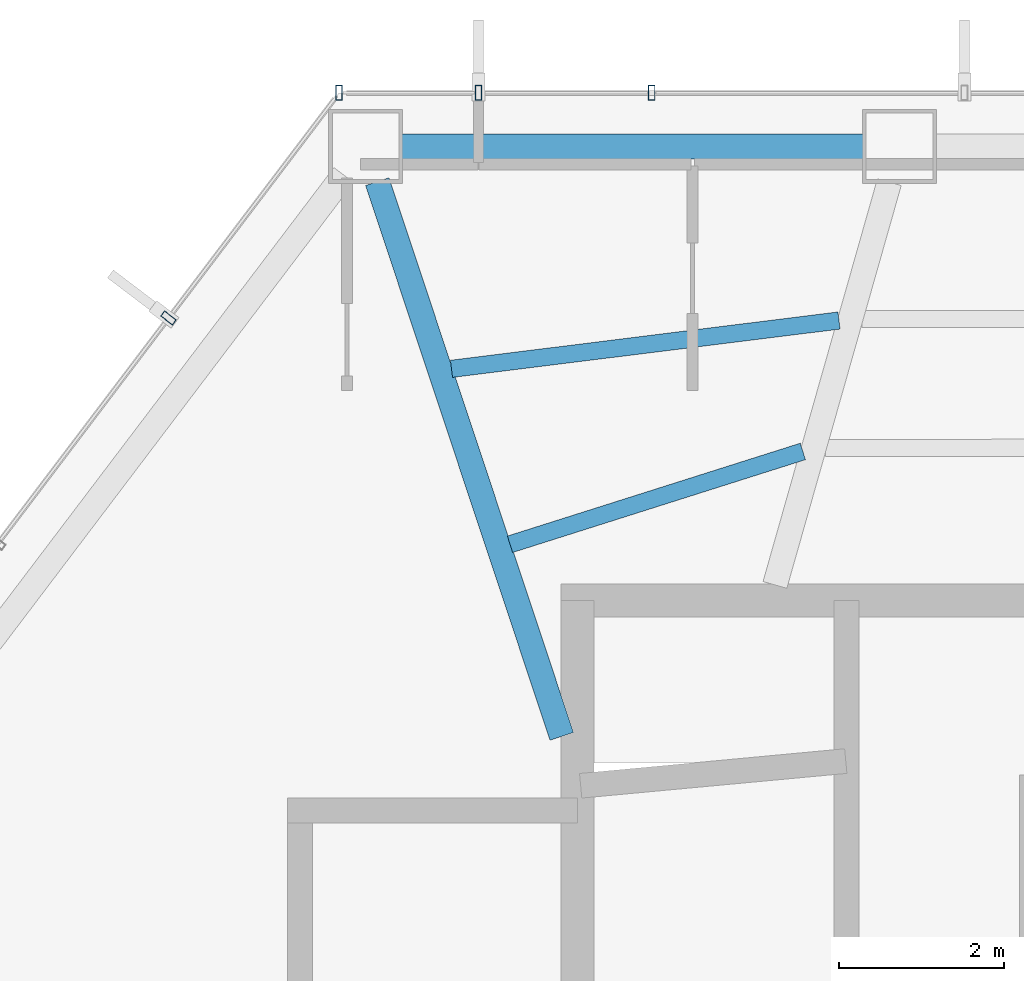
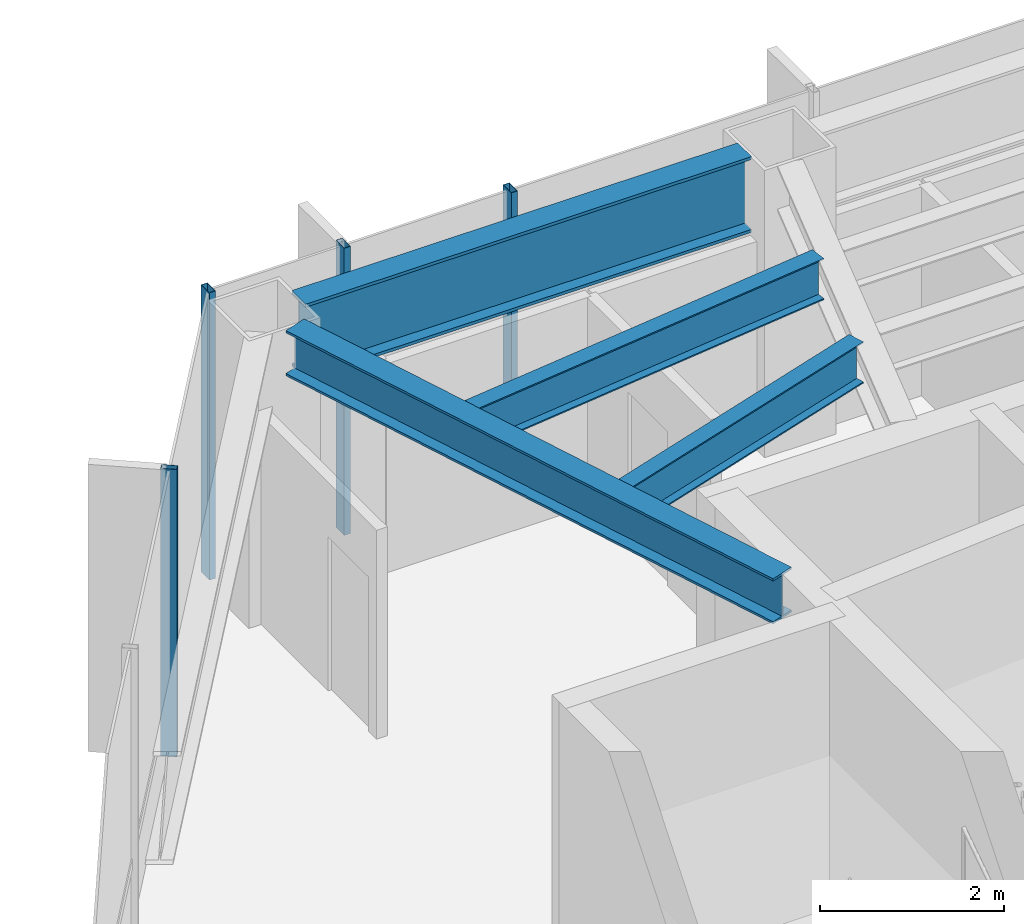
# One storey, part 11 of 25: 4 beams, 4 members, 2 elements without a shape of their own.
"""IFC4 building model written with IfcOpenShell, lengths in metres."""

from ifc_helpers import new_model, si_unit, direction, frame, origin, origin_2d, place, context, subcontext, project, spatial, hollow_rectangle, i_section, extrude, material, layer, layer_set, material_profile, profile_set, type_object, element, aggregate, save


model = new_model("IFC4")

# Units and contexts
model_context = context("Model", 3, precision=1e-05, world=origin(), true_north=direction((0.0, 1.0)))
body_context = subcontext(model_context, "Body", "Model", "MODEL_VIEW")
ifc_project = project(units=[si_unit("LENGTHUNIT", "METRE"), si_unit("AREAUNIT", "SQUARE_METRE"), si_unit("VOLUMEUNIT", "CUBIC_METRE"), si_unit("PLANEANGLEUNIT", "RADIAN"), si_unit("MASSUNIT", "GRAM", prefix="KILO")], contexts=[model_context])

# Site, building, storey
site_placement = place(None, origin())
site = spatial("IfcSite", under=ifc_project, at=site_placement, CompositionType="ELEMENT")
building_placement = place(site_placement, origin())
building = spatial("IfcBuilding", under=site, at=building_placement, Name="Zarrinselat Tower", CompositionType="ELEMENT")
storey_placement = place(building_placement, frame((0.0, 0.0, 88.739990234375)))
storey = spatial("IfcBuildingStorey", under=building, at=storey_placement, Name="L21", CompositionType="ELEMENT", Elevation=88.739990234375)

# Beams
ifc_material_1 = material(Name="Steel S355J2", Category="steel")
ifc_material_profile_1 = material_profile(ifc_material_1, i_section(OverallWidth=0.300048828125, OverallDepth=0.60009765625, WebThickness=0.015380859375, FlangeThickness=0.030029296875, at=origin_2d()), Name="HEB 600")
ifc_profile_set_1 = profile_set([ifc_material_profile_1], Name="Steel S355J2")
beam_type_1 = type_object("IfcBeamType", Name="BM-HEB600", PredefinedType="BEAM", material=ifc_profile_set_1)
beam_1_placement = place(storey_placement, frame((26.170166015625, 48.537841796875, 3.52001953125), z_axis=(0.315443690727, -0.948944296564, 0.0), x_axis=(0.948944296564, 0.315443690727, 0.0)))
element("IfcBeam", 1, at=beam_1_placement, inside=storey, type_object=beam_type_1, Name="L21 Radial Primary Girder RG05", PredefinedType="BEAM", context=body_context, shape_type="SweptSolid", body=[
    extrude(i_section(OverallWidth=0.300048828125, OverallDepth=0.60009765625, WebThickness=0.015380859375, FlangeThickness=0.030029296875, at=origin_2d()), origin(), (0.0, 0.0, 1.0), 7.100341796875),
])
ifc_material_2 = material(Name="Steel S460M", Category="steel")
ifc_material_profile_2 = material_profile(ifc_material_2, i_section(OverallWidth=0.302001953125, OverallDepth=1.008056640625, WebThickness=0.02099609375, FlangeThickness=0.0400390625, at=origin_2d()), Name="HEM 1000")
ifc_profile_set_2 = profile_set([ifc_material_profile_2], Name="Steel S460M")
beam_type_2 = type_object("IfcBeamType", Name="BM-HEM1000", PredefinedType="BEAM", material=ifc_profile_set_2)
beam_2_placement = place(storey_placement, frame((26.465576171875, 48.966796875, 3.31591796875), z_axis=(1.0, 0.0, 0.0), x_axis=(0.0, 1.0, 0.0)))
element("IfcBeam", 2, at=beam_2_placement, inside=storey, type_object=beam_type_2, Name="L21 Perimeter Spandrel Girder SP04", PredefinedType="BEAM", context=body_context, shape_type="SweptSolid", body=[
    extrude(i_section(OverallWidth=0.302001953125, OverallDepth=1.008056640625, WebThickness=0.02099609375, FlangeThickness=0.0400390625, at=origin_2d()), origin(), (0.0, 0.0, 1.0), 5.609130859375),
])
ifc_material_3 = material(Name="Steel S355J2", Category="steel")
ifc_material_profile_3 = material_profile(ifc_material_3, i_section(OverallWidth=0.2099609375, OverallDepth=0.550048828125, WebThickness=0.010986328125, FlangeThickness=0.01708984375, at=origin_2d()), Name="IPE 550")
ifc_profile_set_3 = profile_set([ifc_material_profile_3], Name="Steel S355J2")
beam_type_3 = type_object("IfcBeamType", Name="BM-IPE550", PredefinedType="JOIST", material=ifc_profile_set_3)
beam_3_placement = place(storey_placement, frame((27.070556640625, 46.264404296875, 3.544921875), z_axis=(0.992316625644, 0.12372434874, 0.0), x_axis=(-0.12372434874, 0.992316625644, 0.0)))
element("IfcBeam", 3, at=beam_3_placement, inside=storey, type_object=beam_type_3, Name="L21 Composite Floor Joist 9-1", PredefinedType="JOIST", context=body_context, shape_type="SweptSolid", body=[
    extrude(i_section(OverallWidth=0.2099609375, OverallDepth=0.550048828125, WebThickness=0.010986328125, FlangeThickness=0.01708984375, at=origin_2d()), origin(), (0.0, 0.0, 1.0), 4.74365234375),
])
beam_4_placement = place(storey_placement, frame((27.781982421875, 44.13330078125, 3.544921875), z_axis=(0.953238913259, 0.30221775965, 0.0), x_axis=(-0.30221775965, 0.953238913259, 0.0)))
element("IfcBeam", 4, at=beam_4_placement, inside=storey, type_object=beam_type_3, Name="L21 Composite Floor Joist 9-2", PredefinedType="JOIST", context=body_context, shape_type="SweptSolid", body=[
    extrude(i_section(OverallWidth=0.2099609375, OverallDepth=0.550048828125, WebThickness=0.010986328125, FlangeThickness=0.01708984375, at=origin_2d()), origin(), (0.0, 0.0, 1.0), 3.7314453125),
])

# Curtain wall, members
ifc_material_4 = material(Name="Extruded Aluminium Alloy EN AW-6063 T6", Category="aluminium")
ifc_layer = layer(ifc_material_4, 0.18505859375)
ifc_layer_set = layer_set([ifc_layer], Name="Extruded Aluminium Alloy EN AW-6063 T6")
curtain_wall_type = type_object("IfcCurtainWallType", Name="CWS-OFF", PredefinedType="NOTDEFINED", material=ifc_layer_set)
curtain_wall_1_placement = place(storey_placement, origin())
curtain_wall_1 = element("IfcCurtainWall", 5, at=curtain_wall_1_placement, inside=storey, type_object=curtain_wall_type, Name="L21 Unitised Curtain Wall CW-L21-E01", PredefinedType="NOTDEFINED")
ifc_material_5 = material(Name="Extruded Aluminium Alloy EN AW-6063 T6", Category="aluminium")
ifc_material_profile_4 = material_profile(ifc_material_5, hollow_rectangle(XDim=0.080078125, YDim=0.179931640625, WallThickness=0.0048828125, at=origin_2d()), Name="RHS 180x80x5")
ifc_profile_set_4 = profile_set([ifc_material_profile_4], Name="Extruded Aluminium Alloy EN AW-6063 T6")
member_type = type_object("IfcMemberType", Name="MEM-CW-MUL", PredefinedType="MULLION", material=ifc_profile_set_4)
member_1_placement = place(storey_placement, frame((29.502685546875, 49.61669921875, 0.0), z_axis=(0.0, 0.0, 1.0), x_axis=(-1.0, 0.0, 0.0)))
member_1 = element("IfcMember", 6, at=member_1_placement, type_object=member_type, Name="CW-L21-E01 Mullion 6", PredefinedType="MULLION", context=body_context, shape_type="SweptSolid", body=[
    extrude(hollow_rectangle(XDim=0.080078125, YDim=0.179931640625, WallThickness=0.0048828125, at=origin_2d()), origin(), (0.0, 0.0, 1.0), 3.820068359375),
])
member_2_placement = place(storey_placement, frame((27.39990234375, 49.61669921875, 0.0), z_axis=(0.0, 0.0, 1.0), x_axis=(-1.0, 0.0, 0.0)))
member_2 = element("IfcMember", 7, at=member_2_placement, type_object=member_type, Name="CW-L21-E01 Mullion 7", PredefinedType="MULLION", context=body_context, shape_type="SweptSolid", body=[
    extrude(hollow_rectangle(XDim=0.080078125, YDim=0.179931640625, WallThickness=0.0048828125, at=origin_2d()), origin(), (0.0, 0.0, 1.0), 3.820068359375),
])
member_3_placement = place(storey_placement, frame((25.70458984375, 49.61669921875, 0.0), z_axis=(0.0, 0.0, 1.0), x_axis=(-1.0, 0.0, 0.0)))
member_3 = element("IfcMember", 8, at=member_3_placement, type_object=member_type, Name="CW-L21-E01 Mullion 8", PredefinedType="MULLION", context=body_context, shape_type="SweptSolid", body=[
    extrude(hollow_rectangle(XDim=0.080078125, YDim=0.179931640625, WallThickness=0.0048828125, at=origin_2d()), origin(), (0.0, 0.0, 1.0), 3.820068359375),
])
aggregate(curtain_wall_1, [member_1, member_2, member_3])

# Curtain wall, member
curtain_wall_2_placement = place(storey_placement, origin())
curtain_wall_2 = element("IfcCurtainWall", 9, at=curtain_wall_2_placement, inside=storey, type_object=curtain_wall_type, Name="L21 Unitised Curtain Wall CW-L21-E02", PredefinedType="NOTDEFINED")
member_4_placement = place(storey_placement, frame((23.633056640625, 46.882568359375, 0.0), z_axis=(0.0, 0.0, 1.0), x_axis=(-0.603857014451, -0.797092658414, 0.0)))
member_4 = element("IfcMember", 10, at=member_4_placement, type_object=member_type, Name="CW-L21-E02 Mullion 1", PredefinedType="MULLION", context=body_context, shape_type="SweptSolid", body=[
    extrude(hollow_rectangle(XDim=0.080078125, YDim=0.179931640625, WallThickness=0.0048828125, at=origin_2d()), origin(), (0.0, 0.0, 1.0), 3.820068359375),
])
aggregate(curtain_wall_2, [member_4])

save(model, "model.ifc")
